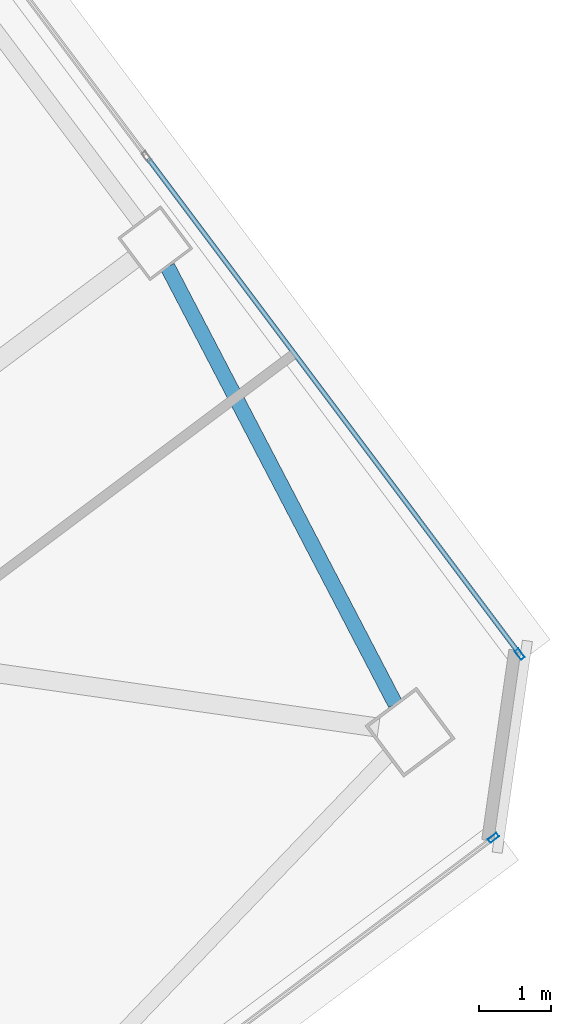
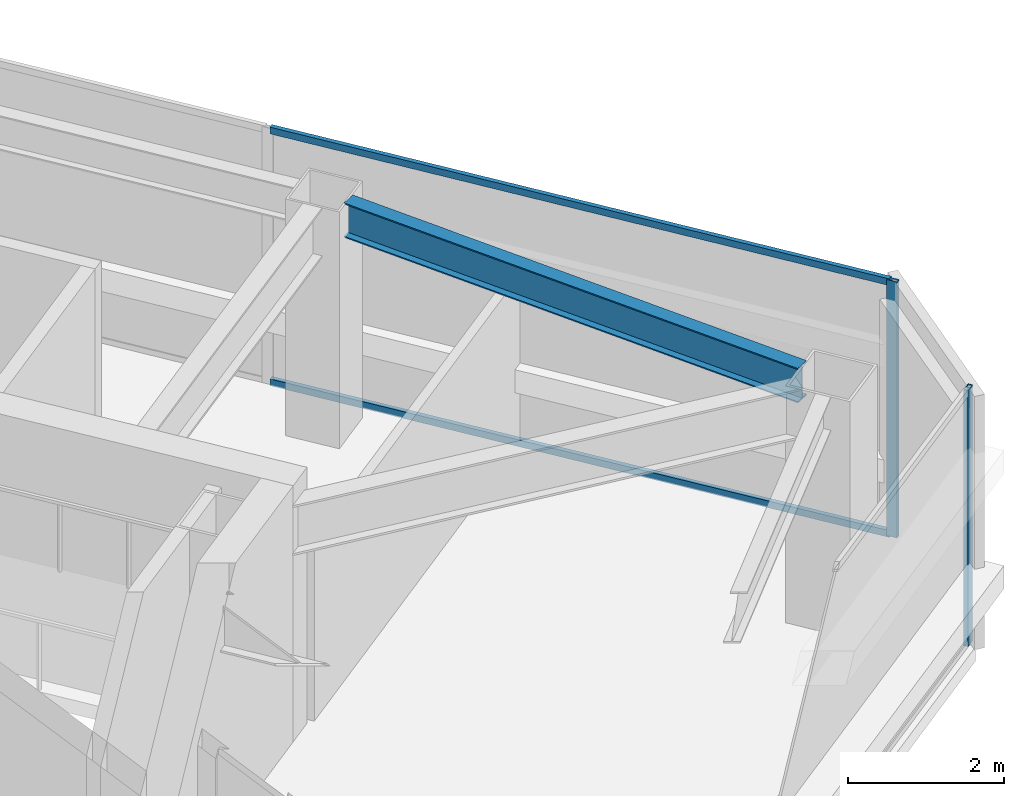
# One storey, part 38 of 51: 4 members, 1 beam, 2 elements without a shape of their own.
"""IFC4 building model written with IfcOpenShell, lengths in metres."""

from ifc_helpers import new_model, si_unit, direction, frame, origin, origin_2d, place, context, subcontext, project, spatial, hollow_rectangle, i_section, extrude, material, material_profile, profile_set, type_object, element, aggregate, save


model = new_model("IFC4")

# Units and contexts
model_context = context("Model", 3, precision=1e-05, world=origin(), true_north=direction((0.0, 1.0)))
body_context = subcontext(model_context, "Body", "Model", "MODEL_VIEW")
ifc_project = project(units=[si_unit("LENGTHUNIT", "METRE"), si_unit("AREAUNIT", "SQUARE_METRE"), si_unit("VOLUMEUNIT", "CUBIC_METRE"), si_unit("PLANEANGLEUNIT", "RADIAN"), si_unit("MASSUNIT", "GRAM", prefix="KILO")], contexts=[model_context])

# Site, building, storey
site_placement = place(None, origin())
site = spatial("IfcSite", under=ifc_project, at=site_placement, CompositionType="ELEMENT")
building_placement = place(site_placement, origin())
building = spatial("IfcBuilding", under=site, at=building_placement, Name="Tashvorn Skyway Center", CompositionType="ELEMENT")
storey_placement = place(building_placement, frame((0.0, 0.0, 259.39990234375)))
storey = spatial("IfcBuildingStorey", under=building, at=storey_placement, Name="L70", CompositionType="ELEMENT", Elevation=259.39990234375)

# Beam
ifc_material_1 = material(Name="Steel ASTM A992 Grade 50", Category="steel")
ifc_material_profile_1 = material_profile(ifc_material_1, i_section(OverallWidth=0.2109375, OverallDepth=0.5390625, WebThickness=0.01171875, FlangeThickness=0.018798828125, at=origin_2d()), Name="W21X73")
ifc_profile_set_1 = profile_set([ifc_material_profile_1], Name="Steel ASTM A992 Grade 50")
beam_type = type_object("IfcBeamType", Name="BM-SPANDREL-W21X73", PredefinedType="SPANDREL", material=ifc_profile_set_1)
beam_placement = place(storey_placement, frame((131.994384765625, 29.794677734375, 3.4306640625), z_axis=(-0.462223120187, 0.886763659136, 0.0), x_axis=(-0.886763659136, -0.462223120187, 0.0)))
element("IfcBeam", 1, at=beam_placement, inside=storey, type_object=beam_type, Name="Tower 2 L70 Spandrel Beam 04", PredefinedType="SPANDREL", context=body_context, shape_type="SweptSolid", body=[
    extrude(i_section(OverallWidth=0.2109375, OverallDepth=0.5390625, WebThickness=0.01171875, FlangeThickness=0.018798828125, at=origin_2d()), origin(), (0.0, 0.0, 1.0), 6.886962890625),
])

# Curtain wall, member
ifc_material_2 = material(Name="Thermally broken bronze-anodized aluminium 6063-T6", Category="aluminium")
curtain_wall_type = type_object("IfcCurtainWallType", Name="CW-CW-SKY", PredefinedType="NOTDEFINED", material=ifc_material_2)
curtain_wall_1_placement = place(storey_placement, origin())
curtain_wall_1 = element("IfcCurtainWall", 2, at=curtain_wall_1_placement, inside=storey, type_object=curtain_wall_type, Name="Tower 2 L70 South Unitised Curtain Wall", PredefinedType="NOTDEFINED")
ifc_material_profile_2 = material_profile(ifc_material_2, hollow_rectangle(XDim=0.06494140625, YDim=0.14990234375, WallThickness=0.00390625, at=origin_2d()), Name="ALU-MULL-65x150")
ifc_profile_set_2 = profile_set([ifc_material_profile_2], Name="Thermally broken bronze-anodized aluminium 6063-T6")
member_type_1 = type_object("IfcMemberType", Name="CWM-CW-SKY", PredefinedType="MULLION", material=ifc_profile_set_2)
member_1_placement = place(storey_placement, frame((133.365966796875, 27.924560546875, 0.0), z_axis=(0.0, 0.0, 1.0), x_axis=(0.600000000002, -0.799999999998, 0.0)))
member_1 = element("IfcMember", 3, at=member_1_placement, type_object=member_type_1, Name="CW-SKY mullion 1", PredefinedType="MULLION", context=body_context, shape_type="SweptSolid", body=[
    extrude(hollow_rectangle(XDim=0.06494140625, YDim=0.14990234375, WallThickness=0.00390625, at=origin_2d()), origin(), (0.0, 0.0, 1.0), 4.0),
])
aggregate(curtain_wall_1, [member_1])

# Curtain wall, members
curtain_wall_2_placement = place(storey_placement, origin())
curtain_wall_2 = element("IfcCurtainWall", 4, at=curtain_wall_2_placement, inside=storey, type_object=curtain_wall_type, Name="Tower 2 L70 East Unitised Curtain Wall", PredefinedType="NOTDEFINED")
member_2_placement = place(storey_placement, frame((133.732421875, 30.489990234375, 0.0), z_axis=(0.0, 0.0, 1.0), x_axis=(0.799999999998, 0.600000000002, 0.0)))
member_2 = element("IfcMember", 5, at=member_2_placement, type_object=member_type_1, Name="CW-SKY mullion 4", PredefinedType="MULLION", context=body_context, shape_type="SweptSolid", body=[
    extrude(hollow_rectangle(XDim=0.06494140625, YDim=0.14990234375, WallThickness=0.00390625, at=origin_2d()), origin(), (0.0, 0.0, 1.0), 4.0),
])
ifc_material_profile_3 = material_profile(ifc_material_2, hollow_rectangle(XDim=0.06494140625, YDim=0.10498046875, WallThickness=0.00390625, at=origin_2d()), Name="ALU-TRAN-65x105")
ifc_profile_set_3 = profile_set([ifc_material_profile_3], Name="Thermally broken bronze-anodized aluminium 6063-T6")
member_type_2 = type_object("IfcMemberType", Name="CWT-CW-SKY", PredefinedType="USERDEFINED", material=ifc_profile_set_3)
member_3_placement = place(storey_placement, frame((128.53955078125, 37.4140625, 0.03271484375), z_axis=(0.599990939221, -0.800006795504, 0.0), x_axis=(0.800006795504, 0.599990939221, 0.0)))
member_3 = element("IfcMember", 6, at=member_3_placement, type_object=member_type_2, Name="CW-SKY transom 3.1", ObjectType="TRANSOM", PredefinedType="USERDEFINED", context=body_context, shape_type="SweptSolid", body=[
    extrude(hollow_rectangle(XDim=0.06494140625, YDim=0.10498046875, WallThickness=0.00390625, at=origin_2d()), origin(), (0.0, 0.0, 1.0), 8.622314453125),
])
member_4_placement = place(storey_placement, frame((128.53955078125, 37.4140625, 3.967529296875), z_axis=(0.599990939221, -0.800006795504, 0.0), x_axis=(0.800006795504, 0.599990939221, 0.0)))
member_4 = element("IfcMember", 7, at=member_4_placement, type_object=member_type_2, Name="CW-SKY transom 3.2", ObjectType="TRANSOM", PredefinedType="USERDEFINED", context=body_context, shape_type="SweptSolid", body=[
    extrude(hollow_rectangle(XDim=0.06494140625, YDim=0.10498046875, WallThickness=0.00390625, at=origin_2d()), origin(), (0.0, 0.0, 1.0), 8.622314453125),
])
aggregate(curtain_wall_2, [member_2, member_3, member_4])

save(model, "model.ifc")
